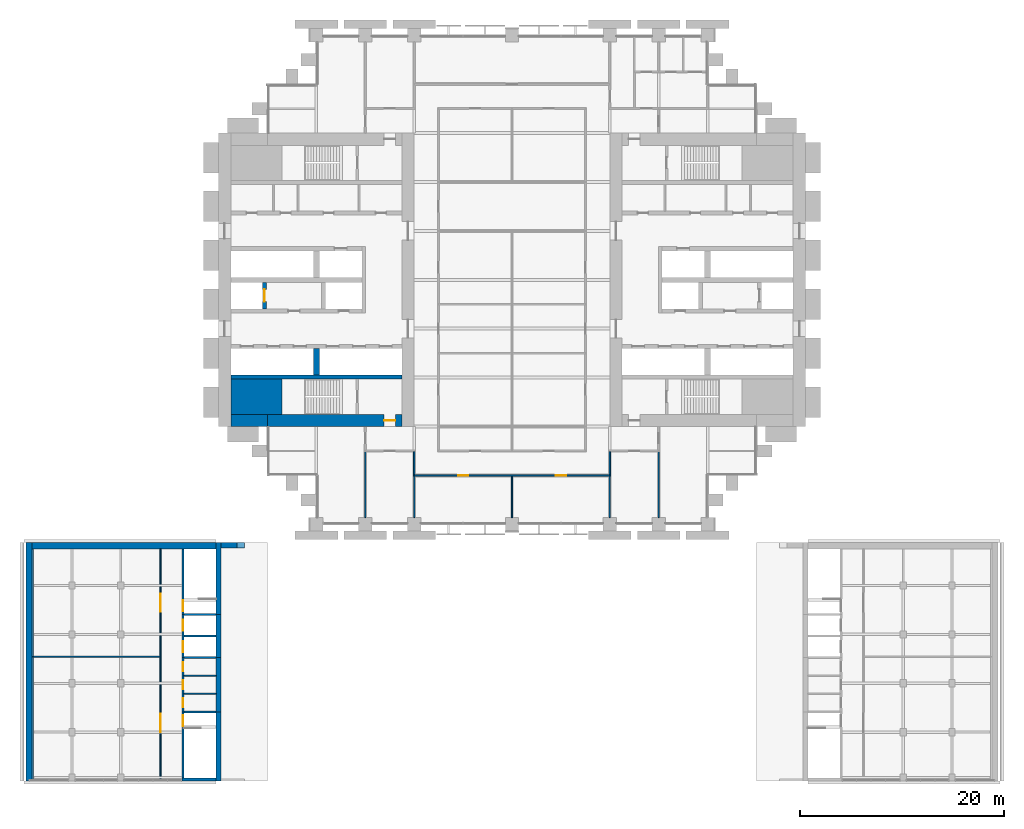
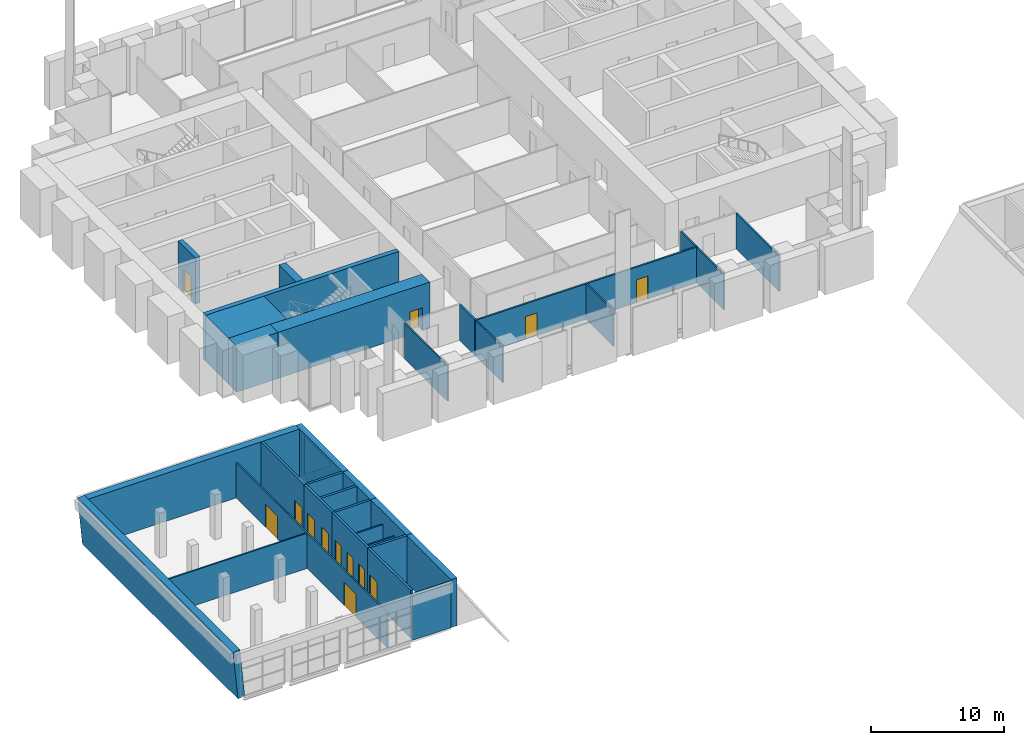
# One storey, part 16 of 22: 34 walls, 13 doors, 13 openings.
"""IFC4 building model written with IfcOpenShell, lengths in metres."""

from ifc_helpers import new_model, si_unit, direction, frame, frame_2d, origin, place, context, subcontext, project, spatial, polyline, rectangle, outline, extrude, material, layer, layer_set, type_object, element, fill, save


model = new_model("IFC4")

# Units and contexts
model_context = context("Model", 3, precision=1e-05, world=origin(), true_north=direction((0.0, 1.0)))
body_context = subcontext(model_context, "Body", "Model", "MODEL_VIEW")
ifc_project = project(units=[si_unit("LENGTHUNIT", "METRE"), si_unit("AREAUNIT", "SQUARE_METRE"), si_unit("VOLUMEUNIT", "CUBIC_METRE"), si_unit("PLANEANGLEUNIT", "RADIAN"), si_unit("MASSUNIT", "GRAM", prefix="KILO")], contexts=[model_context])

# Site, building, storey
site_placement = place(None, origin())
site = spatial("IfcSite", under=ifc_project, at=site_placement, CompositionType="ELEMENT")
building_placement = place(site_placement, origin())
building = spatial("IfcBuilding", under=site, at=building_placement, Name="Baori Bourse Tower", CompositionType="ELEMENT")
storey_placement = place(building_placement, frame((0.0, 0.0, 25.800048828125)))
storey = spatial("IfcBuildingStorey", under=building, at=storey_placement, Name="L04", CompositionType="ELEMENT", Elevation=25.800048828125)

# Walls
ifc_material_1 = material(Name="Concrete f'c 70 MPa", Category="concrete")
wall_type_1 = type_object("IfcWallType", Name="Core corner block f'c 70", PredefinedType="SHEAR", material=ifc_material_1)
wall_1_placement = place(storey_placement, frame((1.199951171875, 12.52490234375, 0.0), z_axis=(0.0, 0.0, 1.0), x_axis=(1.0, 0.0, 0.0)))
element("IfcWall", 1, at=wall_1_placement, inside=storey, type_object=wall_type_1, Name="Core wall W05", PredefinedType="SHEAR", context=body_context, shape_type="SweptSolid", body=[
    extrude(rectangle(XDim=5.050048828125, YDim=3.449951171875, at=frame_2d((2.52490234375, 0.0))), origin(), (0.0, 0.0, 1.0), 4.239990234375),
])
ifc_material_2 = material(Name="Concrete f'c 70 MPa", Category="concrete")
ifc_layer_1 = layer(ifc_material_2, 1.199951171875)
ifc_layer_set_1 = layer_set([ifc_layer_1], Name="Core wall 1200 f'c 70")
wall_type_2 = type_object("IfcWallType", Name="Core wall 1200 f'c 70", PredefinedType="SHEAR", material=ifc_layer_set_1)
wall_2_placement = place(storey_placement, frame((4.800048828125, 10.199951171875, 0.0), z_axis=(0.0, 0.0, 1.0), x_axis=(-1.0, 0.0, 0.0)))
element("IfcWall", 2, at=wall_2_placement, inside=storey, type_object=wall_type_2, Name="Core wall W02", PredefinedType="SHEAR", context=body_context, shape_type="SweptSolid", body=[
    extrude(rectangle(XDim=3.60009765625, YDim=1.199951171875, at=frame_2d((1.800048828125, 0.0))), origin(), (0.0, 0.0, 1.0), 4.239990234375),
])

# Wall, opening, door
wall_3_placement = place(storey_placement, frame((18.0, 10.199951171875, 0.0), z_axis=(0.0, 0.0, 1.0), x_axis=(-1.0, 0.0, 0.0)))
wall_3 = element("IfcWall", 3, at=wall_3_placement, inside=storey, type_object=wall_type_2, Name="Core wall W03", PredefinedType="SHEAR", context=body_context, shape_type="SweptSolid", body=[
    extrude(rectangle(XDim=13.199951171875, YDim=1.199951171875, at=frame_2d((6.60009765625, 0.0))), origin(), (0.0, 0.0, 1.0), 4.239990234375),
])
opening_1_placement = place(wall_3_placement, frame((0.64990234375, 0.0, 0.0)))
opening_1 = element("IfcOpeningElement", 4, at=opening_1_placement, cuts=wall_3, Name="Opening L04-D102", PredefinedType="OPENING", context=body_context, shape_type="SweptSolid", body=[
    extrude(rectangle(XDim=1.10009765625, YDim=2.10009765625, at=frame_2d((0.550048828125, 1.050048828125))), frame((0.0, 0.60986328125, 0.0), z_axis=(0.0, -1.0, 0.0), x_axis=(1.0, 0.0, 0.0)), (0.0, 0.0, 1.0), 1.219970703125),
])
ifc_material_3 = material(Name="Painted steel door", Category="steel")
door_type_1 = type_object("IfcDoorType", Name="Stair door 1100", OperationType="SINGLE_SWING_LEFT", PredefinedType="DOOR", material=ifc_material_3)
door_1_placement = place(opening_1_placement, origin())
door_1 = element("IfcDoor", 5, at=door_1_placement, inside=storey, type_object=door_type_1, Name="Stair vestibule door A W L04", OperationType="SINGLE_SWING_LEFT", OverallHeight=2.10009765625, OverallWidth=1.10009765625, PredefinedType="DOOR", context=body_context, shape_type="SweptSolid", body=[
    extrude(rectangle(XDim=1.10009765625, YDim=2.10009765625, at=frame_2d((0.550048828125, 1.050048828125))), frame((0.0, 0.02490234375, 0.0), z_axis=(0.0, -1.0, 0.0), x_axis=(1.0, 0.0, 0.0)), (0.0, 0.0, 1.0), 0.050048828125),
])
fill(opening_1, door_1)

# Wall, openings, doors
ifc_material_4 = material(Name="Gypsum board partition")
ifc_layer_2 = layer(ifc_material_4, 0.14990234375)
ifc_layer_set_2 = layer_set([ifc_layer_2], Name="Corridor partition 150")
wall_type_3 = type_object("IfcWallType", Name="Corridor partition 150", PredefinedType="PARTITIONING", material=ifc_layer_set_2)
wall_4_placement = place(storey_placement, frame((19.125, 4.800048828125, 0.0), z_axis=(0.0, 0.0, 1.0), x_axis=(1.0, 0.0, 0.0)))
wall_4 = element("IfcWall", 6, at=wall_4_placement, inside=storey, type_object=wall_type_3, Name="Partition", PredefinedType="PARTITIONING", context=body_context, shape_type="SweptSolid", body=[
    extrude(rectangle(XDim=19.35009765625, YDim=0.14990234375, at=frame_2d((9.675048828125, 0.0))), origin(), (0.0, 0.0, 1.0), 3.269775390625),
])
opening_2_placement = place(wall_4_placement, frame((4.375, 0.0, 0.0)))
opening_2 = element("IfcOpeningElement", 7, at=opening_2_placement, cuts=wall_4, Name="Opening L04-D01", PredefinedType="OPENING", context=body_context, shape_type="SweptSolid", body=[
    extrude(rectangle(XDim=1.0, YDim=2.10009765625, at=frame_2d((0.5, 1.050048828125))), frame((0.0, 0.0849609375, 0.0), z_axis=(0.0, -1.0, 0.0), x_axis=(1.0, 0.0, 0.0)), (0.0, 0.0, 1.0), 0.169921875),
])
opening_3_placement = place(wall_4_placement, frame((13.97509765625, 0.0, 0.0)))
opening_3 = element("IfcOpeningElement", 8, at=opening_3_placement, cuts=wall_4, Name="Opening L04-D02", PredefinedType="OPENING", context=body_context, shape_type="SweptSolid", body=[
    extrude(rectangle(XDim=1.0, YDim=2.10009765625, at=frame_2d((0.5, 1.050048828125))), frame((0.0, 0.0849609375, 0.0), z_axis=(0.0, -1.0, 0.0), x_axis=(1.0, 0.0, 0.0)), (0.0, 0.0, 1.0), 0.169921875),
])
ifc_material_5 = material(Name="Timber door leaf", Category="wood")
door_type_2 = type_object("IfcDoorType", Name="Door 1000 x 2100", OperationType="SINGLE_SWING_LEFT", PredefinedType="DOOR", material=ifc_material_5)
door_2_placement = place(opening_2_placement, origin())
door_2 = element("IfcDoor", 9, at=door_2_placement, inside=storey, type_object=door_type_2, Name="Door", OperationType="SINGLE_SWING_LEFT", OverallHeight=2.10009765625, OverallWidth=1.0, PredefinedType="DOOR", context=body_context, shape_type="SweptSolid", body=[
    extrude(rectangle(XDim=1.0, YDim=2.10009765625, at=frame_2d((0.5, 1.050048828125))), frame((0.0, 0.02490234375, 0.0), z_axis=(0.0, -1.0, 0.0), x_axis=(1.0, 0.0, 0.0)), (0.0, 0.0, 1.0), 0.050048828125),
])
fill(opening_2, door_2)
door_3_placement = place(opening_3_placement, origin())
door_3 = element("IfcDoor", 10, at=door_3_placement, inside=storey, type_object=door_type_2, Name="Door", OperationType="SINGLE_SWING_RIGHT", OverallHeight=2.10009765625, OverallWidth=1.0, PredefinedType="DOOR", context=body_context, shape_type="SweptSolid", body=[
    extrude(rectangle(XDim=1.0, YDim=2.10009765625, at=frame_2d((0.5, 1.050048828125))), frame((0.0, 0.02490234375, 0.0), z_axis=(0.0, -1.0, 0.0), x_axis=(1.0, 0.0, 0.0)), (0.0, 0.0, 1.0), 0.050048828125),
])
fill(opening_3, door_3)

# Walls
for number, where, z_axis, x_axis, name in (
    (11, (19.199951171875, 4.875, 0.0), (0.0, 0.0, 1.0), (0.0, 1.0, 0.0), "Partition"),
    (12, (38.39990234375, 4.875, 0.0), (0.0, 0.0, 1.0), (0.0, 1.0, 0.0), "Partition"),
):
    element("IfcWall", number, at=place(storey_placement, frame(where, z_axis=z_axis, x_axis=x_axis)), inside=storey, type_object=wall_type_3, Name=name, PredefinedType="PARTITIONING", context=body_context, shape_type="SweptSolid", body=[
        extrude(rectangle(XDim=2.25, YDim=0.14990234375, at=frame_2d((1.125, 0.0))), origin(), (0.0, 0.0, 1.0), 3.269775390625),
    ])
ifc_material_6 = material(Name="Concrete f'c 50 MPa", Category="concrete")
ifc_layer_3 = layer(ifc_material_6, 0.300048828125)
ifc_layer_set_3 = layer_set([ifc_layer_3], Name="Entrance wall 300")
wall_type_4 = type_object("IfcWallType", Name="Entrance wall 300", PredefinedType="SOLIDWALL", material=ifc_layer_set_3)
wall_5_placement = place(storey_placement, frame((-3.60009765625, -25.050048828125, 0.0), z_axis=(0.0, 0.0, 1.0), x_axis=(1.0, 0.0, 0.0)))
element("IfcWall", 13, at=wall_5_placement, inside=storey, type_object=wall_type_4, Name="wing/L04/Wsouthwall/001", PredefinedType="SOLIDWALL", context=body_context, shape_type="SweptSolid", body=[
    extrude(rectangle(XDim=3.35009765625, YDim=0.300048828125, at=frame_2d((1.675048828125, 0.0))), origin(), (0.0, 0.0, 1.0), 4.1015625),
])
ifc_material_7 = material(Name="Concrete f'c 50 MPa", Category="concrete")
ifc_layer_4 = layer(ifc_material_7, 0.5)
ifc_layer_set_4 = layer_set([ifc_layer_4], Name="Hall end wall 500")
wall_type_5 = type_object("IfcWallType", Name="Hall end wall 500", PredefinedType="SOLIDWALL", material=ifc_layer_set_4)
wall_6_placement = place(storey_placement, frame((0.0, -1.800048828125, 0.0), z_axis=(0.0, 0.0, 1.0), x_axis=(0.0, -1.0, 0.0)))
element("IfcWall", 14, at=wall_6_placement, inside=storey, type_object=wall_type_5, Name="wing/L04/Whallwall/001", PredefinedType="SOLIDWALL", context=body_context, shape_type="SweptSolid", body=[
    extrude(rectangle(XDim=7.06005859375, YDim=0.5, at=frame_2d((3.530029296875, 0.0))), origin(), (0.0, 0.0, 1.0), 4.39990234375),
])
wall_7_placement = place(storey_placement, frame((0.0, -8.860107421875, 0.0), z_axis=(0.0, 0.0, 1.0), x_axis=(0.0, -1.0, 0.0)))
element("IfcWall", 15, at=wall_7_placement, inside=storey, type_object=wall_type_5, Name="wing/L04/Whallwall/002", PredefinedType="SOLIDWALL", context=body_context, shape_type="SweptSolid", body=[
    extrude(rectangle(XDim=4.199951171875, YDim=0.5, at=frame_2d((2.10009765625, 0.0))), origin(), (0.0, 0.0, 1.0), 4.39990234375),
])
wall_8_placement = place(storey_placement, frame((0.0, -13.06005859375, 0.0), z_axis=(0.0, 0.0, 1.0), x_axis=(0.0, -1.0, 0.0)))
element("IfcWall", 16, at=wall_8_placement, inside=storey, type_object=wall_type_5, Name="wing/L04/Whallwall/003", PredefinedType="SOLIDWALL", context=body_context, shape_type="SweptSolid", body=[
    extrude(rectangle(XDim=5.3798828125, YDim=0.5, at=frame_2d((2.68994140625, 0.0))), origin(), (0.0, 0.0, 1.0), 4.39990234375),
])
wall_9_placement = place(storey_placement, frame((0.0, -18.43994140625, 0.0), z_axis=(0.0, 0.0, 1.0), x_axis=(0.0, -1.0, 0.0)))
element("IfcWall", 17, at=wall_9_placement, inside=storey, type_object=wall_type_5, Name="wing/L04/Whallwall/004", PredefinedType="SOLIDWALL", context=body_context, shape_type="SweptSolid", body=[
    extrude(rectangle(XDim=6.760009765625, YDim=0.5, at=frame_2d((3.3798828125, 0.0))), origin(), (0.0, 0.0, 1.0), 4.39990234375),
])
ifc_material_8 = material(Name="Concrete f'c 50 MPa", Category="concrete")
ifc_layer_5 = layer(ifc_material_8, 0.5)
ifc_layer_set_5 = layer_set([ifc_layer_5], Name="Hall north wall 500")
wall_type_6 = type_object("IfcWallType", Name="Hall north wall 500", PredefinedType="SOLIDWALL", material=ifc_layer_set_5)
wall_10_placement = place(storey_placement, frame((0.25, -2.050048828125, 0.0), z_axis=(0.0, 0.0, 1.0), x_axis=(1.0, 0.0, 0.0)))
element("IfcWall", 18, at=wall_10_placement, inside=storey, type_object=wall_type_6, Name="wing/L04/hallnorth/001", PredefinedType="SOLIDWALL", context=body_context, shape_type="SweptSolid", body=[
    extrude(outline(polyline([(0.0, 0.0), (2.31103515625, 0.0), (2.31103515625, 0.099853515625), (0.0, 3.578369140625), (0.0, 0.0)])), frame((0.0, 0.25, 0.0), z_axis=(0.0, -1.0, 0.0), x_axis=(1.0, 0.0, 0.0)), (0.0, 0.0, 1.0), 0.5),
])
ifc_material_9 = material(Name="Concrete f'c 50 MPa", Category="concrete")
ifc_layer_6 = layer(ifc_material_9, 0.60009765625)
ifc_layer_set_6 = layer_set([ifc_layer_6], Name="Leaning end wall 600")
wall_type_7 = type_object("IfcWallType", Name="Leaning end wall 600", PredefinedType="SOLIDWALL", material=ifc_layer_set_6)
wall_11_placement = place(storey_placement, frame((-18.173583984375, -25.199951171875, 0.0), z_axis=(0.995397890889, 0.0, 0.095828173382), x_axis=(0.0, 1.0, 0.0)))
element("IfcWall", 19, at=wall_11_placement, inside=storey, type_object=wall_type_7, Name="wing/L04/Wleanwall/001", PredefinedType="SOLIDWALL", context=body_context, shape_type="SweptSolid", body=[
    extrude(outline(polyline([(0.0, 0.0), (23.39990234375, 0.0), (23.39990234375, 4.420244792582843), (0.0, 4.420244792582843), (0.0, 0.0)])), origin(), (0.0, 0.0, -1.0), 0.60009765625),
])
ifc_material_10 = material(Name="Gypsum board partition")
ifc_layer_7 = layer(ifc_material_10, 0.125)
ifc_layer_set_7 = layer_set([ifc_layer_7], Name="Partition 125")
wall_type_8 = type_object("IfcWallType", Name="Partition 125", PredefinedType="PARTITIONING", material=ifc_layer_set_7)
wall_12_placement = place(storey_placement, frame((14.39990234375, 0.64990234375, 0.0), z_axis=(0.0, 0.0, 1.0), x_axis=(0.0, 1.0, 0.0)))
element("IfcWall", 20, at=wall_12_placement, inside=storey, type_object=wall_type_8, Name="Partition", PredefinedType="PARTITIONING", context=body_context, shape_type="SweptSolid", body=[
    extrude(rectangle(XDim=6.47509765625, YDim=0.125, at=frame_2d((3.237548828125, 0.0))), origin(), (0.0, 0.0, 1.0), 3.269775390625),
])
for number, where, z_axis, x_axis, name in (
    (21, (19.199951171875, 0.64990234375, 0.0), (0.0, 0.0, 1.0), (0.0, 1.0, 0.0), "Partition"),
    (22, (28.800048828125, 0.64990234375, 0.0), (0.0, 0.0, 1.0), (0.0, 1.0, 0.0), "Partition"),
    (23, (38.39990234375, 0.64990234375, 0.0), (0.0, 0.0, 1.0), (0.0, 1.0, 0.0), "Partition"),
):
    element("IfcWall", number, at=place(storey_placement, frame(where, z_axis=z_axis, x_axis=x_axis)), inside=storey, type_object=wall_type_8, Name=name, PredefinedType="PARTITIONING", context=body_context, shape_type="SweptSolid", body=[
        extrude(rectangle(XDim=4.0751953125, YDim=0.125, at=frame_2d((2.03759765625, 0.0))), origin(), (0.0, 0.0, 1.0), 3.269775390625),
    ])
wall_13_placement = place(storey_placement, frame((43.199951171875, 0.64990234375, 0.0), z_axis=(0.0, 0.0, 1.0), x_axis=(0.0, 1.0, 0.0)))
element("IfcWall", 24, at=wall_13_placement, inside=storey, type_object=wall_type_8, Name="Partition", PredefinedType="PARTITIONING", context=body_context, shape_type="SweptSolid", body=[
    extrude(rectangle(XDim=6.47509765625, YDim=0.125, at=frame_2d((3.237548828125, 0.0))), origin(), (0.0, 0.0, 1.0), 3.269775390625),
])

# Wall, opening, door
ifc_material_11 = material(Name="Concrete f'c 50 MPa", Category="concrete")
ifc_layer_8 = layer(ifc_material_11, 0.199951171875)
ifc_layer_set_8 = layer_set([ifc_layer_8], Name="Shaft wall 200")
wall_type_9 = type_object("IfcWallType", Name="Shaft wall 200", PredefinedType="SOLIDWALL", material=ifc_layer_set_8)
wall_14_placement = place(storey_placement, frame((-3.5, -2.39990234375, 0.0), z_axis=(0.0, 0.0, 1.0), x_axis=(0.0, -1.0, 0.0)))
wall_14 = element("IfcWall", 25, at=wall_14_placement, inside=storey, type_object=wall_type_9, Name="wing/L04/WcorrwallE/001", PredefinedType="SOLIDWALL", context=body_context, shape_type="SweptSolid", body=[
    extrude(rectangle(XDim=6.460205078125, YDim=0.199951171875, at=frame_2d((3.22998046875, 0.0))), origin(), (0.0, 0.0, 1.0), 4.39990234375),
])
opening_4_placement = place(wall_14_placement, frame((5.050048828125, 0.0, 0.0)))
opening_4 = element("IfcOpeningElement", 26, at=opening_4_placement, cuts=wall_14, Name="Opening WGW-L04-01", PredefinedType="OPENING", context=body_context, shape_type="SweptSolid", body=[
    extrude(rectangle(XDim=1.10009765625, YDim=2.10009765625, at=frame_2d((0.550048828125, 1.050048828125))), frame((0.0, 0.10986328125, 0.0), z_axis=(0.0, -1.0, 0.0), x_axis=(1.0, 0.0, 0.0)), (0.0, 0.0, 1.0), 0.219970703125),
])
ifc_material_12 = material(Name="Steel fire door", Category="steel")
door_type_3 = type_object("IfcDoorType", Name="Wing stair door 1100", OperationType="SINGLE_SWING_LEFT", PredefinedType="DOOR", material=ifc_material_12)
door_4_placement = place(opening_4_placement, origin())
door_4 = element("IfcDoor", 27, at=door_4_placement, inside=storey, type_object=door_type_3, Name="WGW-L04-01", OperationType="SINGLE_SWING_LEFT", OverallHeight=2.10009765625, OverallWidth=1.10009765625, PredefinedType="DOOR", context=body_context, shape_type="SweptSolid", body=[
    extrude(rectangle(XDim=1.10009765625, YDim=2.10009765625, at=frame_2d((0.550048828125, 1.050048828125))), frame((0.0, 0.02490234375, 0.0), z_axis=(0.0, -1.0, 0.0), x_axis=(1.0, 0.0, 0.0)), (0.0, 0.0, 1.0), 0.050048828125),
])
fill(opening_4, door_4)

# Wall, openings, doors
wall_15_placement = place(storey_placement, frame((-3.5, -8.860107421875, 0.0), z_axis=(0.0, 0.0, 1.0), x_axis=(0.0, -1.0, 0.0)))
wall_15 = element("IfcWall", 28, at=wall_15_placement, inside=storey, type_object=wall_type_9, Name="wing/L04/WcorrwallE/002", PredefinedType="SOLIDWALL", context=body_context, shape_type="SweptSolid", body=[
    extrude(rectangle(XDim=4.199951171875, YDim=0.199951171875, at=frame_2d((2.10009765625, 0.0))), origin(), (0.0, 0.0, 1.0), 4.39990234375),
])
opening_5_placement = place(wall_15_placement, frame((0.5, 0.0, 0.0)))
opening_5 = element("IfcOpeningElement", 29, at=opening_5_placement, cuts=wall_15, Name="Opening LD-W-L04-P", PredefinedType="OPENING", context=body_context, shape_type="SweptSolid", body=[
    extrude(rectangle(XDim=1.10009765625, YDim=2.10009765625, at=frame_2d((0.550048828125, 1.050048828125))), frame((0.0, 0.10986328125, 0.0), z_axis=(0.0, -1.0, 0.0), x_axis=(1.0, 0.0, 0.0)), (0.0, 0.0, 1.0), 0.219970703125),
])
opening_6_placement = place(wall_15_placement, frame((2.60009765625, 0.0, 0.0)))
opening_6 = element("IfcOpeningElement", 30, at=opening_6_placement, cuts=wall_15, Name="Opening LD-W-L04-S", PredefinedType="OPENING", context=body_context, shape_type="SweptSolid", body=[
    extrude(rectangle(XDim=1.10009765625, YDim=2.10009765625, at=frame_2d((0.550048828125, 1.050048828125))), frame((0.0, 0.10986328125, 0.0), z_axis=(0.0, -1.0, 0.0), x_axis=(1.0, 0.0, 0.0)), (0.0, 0.0, 1.0), 0.219970703125),
])
ifc_material_13 = material(Name="Stainless steel door", Category="steel")
door_type_4 = type_object("IfcDoorType", Name="Lift landing door 1100", OperationType="SLIDING_TO_LEFT", PredefinedType="DOOR", material=ifc_material_13)
door_5_placement = place(opening_5_placement, origin())
door_5 = element("IfcDoor", 31, at=door_5_placement, inside=storey, type_object=door_type_4, Name="LD-W-L04-P", OperationType="SLIDING_TO_LEFT", OverallHeight=2.10009765625, OverallWidth=1.10009765625, PredefinedType="DOOR", context=body_context, shape_type="SweptSolid", body=[
    extrude(rectangle(XDim=1.10009765625, YDim=2.10009765625, at=frame_2d((0.550048828125, 1.050048828125))), frame((0.0, 0.02490234375, 0.0), z_axis=(0.0, -1.0, 0.0), x_axis=(1.0, 0.0, 0.0)), (0.0, 0.0, 1.0), 0.050048828125),
])
fill(opening_5, door_5)
door_6_placement = place(opening_6_placement, origin())
door_6 = element("IfcDoor", 32, at=door_6_placement, inside=storey, type_object=door_type_4, Name="LD-W-L04-S", OperationType="SLIDING_TO_LEFT", OverallHeight=2.10009765625, OverallWidth=1.10009765625, PredefinedType="DOOR", context=body_context, shape_type="SweptSolid", body=[
    extrude(rectangle(XDim=1.10009765625, YDim=2.10009765625, at=frame_2d((0.550048828125, 1.050048828125))), frame((0.0, 0.02490234375, 0.0), z_axis=(0.0, -1.0, 0.0), x_axis=(1.0, 0.0, 0.0)), (0.0, 0.0, 1.0), 0.050048828125),
])
fill(opening_6, door_6)

wall_16_placement = place(storey_placement, frame((-3.5, -13.06005859375, 0.0), z_axis=(0.0, 0.0, 1.0), x_axis=(0.0, -1.0, 0.0)))
wall_16 = element("IfcWall", 33, at=wall_16_placement, inside=storey, type_object=wall_type_9, Name="wing/L04/WcorrwallE/003", PredefinedType="SOLIDWALL", context=body_context, shape_type="SweptSolid", body=[
    extrude(rectangle(XDim=5.3798828125, YDim=0.199951171875, at=frame_2d((2.68994140625, 0.0))), origin(), (0.0, 0.0, 1.0), 4.39990234375),
])
opening_7_placement = place(wall_16_placement, frame((0.4716796875, 0.0, 0.0)))
opening_7 = element("IfcOpeningElement", 34, at=opening_7_placement, cuts=wall_16, Name="Opening WGW-L04-05", PredefinedType="OPENING", context=body_context, shape_type="SweptSolid", body=[
    extrude(rectangle(XDim=0.89990234375, YDim=2.10009765625, at=frame_2d((0.449951171875, 1.050048828125))), frame((0.0, 0.10986328125, 0.0), z_axis=(0.0, -1.0, 0.0), x_axis=(1.0, 0.0, 0.0)), (0.0, 0.0, 1.0), 0.219970703125),
])
opening_8_placement = place(wall_16_placement, frame((2.239990234375, 0.0, 0.0)))
opening_8 = element("IfcOpeningElement", 35, at=opening_8_placement, cuts=wall_16, Name="Opening WGW-L04-06", PredefinedType="OPENING", context=body_context, shape_type="SweptSolid", body=[
    extrude(rectangle(XDim=0.89990234375, YDim=2.10009765625, at=frame_2d((0.449951171875, 1.050048828125))), frame((0.0, 0.10986328125, 0.0), z_axis=(0.0, -1.0, 0.0), x_axis=(1.0, 0.0, 0.0)), (0.0, 0.0, 1.0), 0.219970703125),
])
opening_9_placement = place(wall_16_placement, frame((4.00830078125, 0.0, 0.0)))
opening_9 = element("IfcOpeningElement", 36, at=opening_9_placement, cuts=wall_16, Name="Opening WGW-L04-07", PredefinedType="OPENING", context=body_context, shape_type="SweptSolid", body=[
    extrude(rectangle(XDim=0.89990234375, YDim=2.10009765625, at=frame_2d((0.449951171875, 1.050048828125))), frame((0.0, 0.10986328125, 0.0), z_axis=(0.0, -1.0, 0.0), x_axis=(1.0, 0.0, 0.0)), (0.0, 0.0, 1.0), 0.219970703125),
])
ifc_material_14 = material(Name="Timber door", Category="wood")
door_type_5 = type_object("IfcDoorType", Name="Wing toilet door 900x2100", OperationType="SINGLE_SWING_LEFT", PredefinedType="DOOR", material=ifc_material_14)
door_7_placement = place(opening_7_placement, origin())
door_7 = element("IfcDoor", 37, at=door_7_placement, inside=storey, type_object=door_type_5, Name="WGW-L04-05", OperationType="SINGLE_SWING_LEFT", OverallHeight=2.10009765625, OverallWidth=0.89990234375, PredefinedType="DOOR", context=body_context, shape_type="SweptSolid", body=[
    extrude(rectangle(XDim=0.89990234375, YDim=2.10009765625, at=frame_2d((0.449951171875, 1.050048828125))), frame((0.0, 0.02490234375, 0.0), z_axis=(0.0, -1.0, 0.0), x_axis=(1.0, 0.0, 0.0)), (0.0, 0.0, 1.0), 0.050048828125),
])
fill(opening_7, door_7)
door_8_placement = place(opening_8_placement, origin())
door_8 = element("IfcDoor", 38, at=door_8_placement, inside=storey, type_object=door_type_5, Name="WGW-L04-06", OperationType="SINGLE_SWING_LEFT", OverallHeight=2.10009765625, OverallWidth=0.89990234375, PredefinedType="DOOR", context=body_context, shape_type="SweptSolid", body=[
    extrude(rectangle(XDim=0.89990234375, YDim=2.10009765625, at=frame_2d((0.449951171875, 1.050048828125))), frame((0.0, 0.02490234375, 0.0), z_axis=(0.0, -1.0, 0.0), x_axis=(1.0, 0.0, 0.0)), (0.0, 0.0, 1.0), 0.050048828125),
])
fill(opening_8, door_8)
door_9_placement = place(opening_9_placement, origin())
door_9 = element("IfcDoor", 39, at=door_9_placement, inside=storey, type_object=door_type_5, Name="WGW-L04-07", OperationType="SINGLE_SWING_LEFT", OverallHeight=2.10009765625, OverallWidth=0.89990234375, PredefinedType="DOOR", context=body_context, shape_type="SweptSolid", body=[
    extrude(rectangle(XDim=0.89990234375, YDim=2.10009765625, at=frame_2d((0.449951171875, 1.050048828125))), frame((0.0, 0.02490234375, 0.0), z_axis=(0.0, -1.0, 0.0), x_axis=(1.0, 0.0, 0.0)), (0.0, 0.0, 1.0), 0.050048828125),
])
fill(opening_9, door_9)

# Wall, opening, door
wall_17_placement = place(storey_placement, frame((-3.5, -18.43994140625, 0.0), z_axis=(0.0, 0.0, 1.0), x_axis=(0.0, -1.0, 0.0)))
wall_17 = element("IfcWall", 40, at=wall_17_placement, inside=storey, type_object=wall_type_9, Name="wing/L04/WcorrwallE/004", PredefinedType="SOLIDWALL", context=body_context, shape_type="SweptSolid", body=[
    extrude(rectangle(XDim=6.4599609375, YDim=0.199951171875, at=frame_2d((3.22998046875, 0.0))), origin(), (0.0, 0.0, 1.0), 4.39990234375),
])
opening_10_placement = place(wall_17_placement, frame((0.300048828125, 0.0, 0.0)))
opening_10 = element("IfcOpeningElement", 41, at=opening_10_placement, cuts=wall_17, Name="Opening WGW-L04-02", PredefinedType="OPENING", context=body_context, shape_type="SweptSolid", body=[
    extrude(rectangle(XDim=1.10009765625, YDim=2.10009765625, at=frame_2d((0.550048828125, 1.050048828125))), frame((0.0, 0.10986328125, 0.0), z_axis=(0.0, -1.0, 0.0), x_axis=(1.0, 0.0, 0.0)), (0.0, 0.0, 1.0), 0.219970703125),
])
door_10_placement = place(opening_10_placement, origin())
door_10 = element("IfcDoor", 42, at=door_10_placement, inside=storey, type_object=door_type_3, Name="WGW-L04-02", OperationType="SINGLE_SWING_LEFT", OverallHeight=2.10009765625, OverallWidth=1.10009765625, PredefinedType="DOOR", context=body_context, shape_type="SweptSolid", body=[
    extrude(rectangle(XDim=1.10009765625, YDim=2.10009765625, at=frame_2d((0.550048828125, 1.050048828125))), frame((0.0, 0.02490234375, 0.0), z_axis=(0.0, -1.0, 0.0), x_axis=(1.0, 0.0, 0.0)), (0.0, 0.0, 1.0), 0.050048828125),
])
fill(opening_10, door_10)

# Walls
for number, where, z_axis, x_axis, name in (
    (43, (-3.39990234375, -8.860107421875, 0.0), (0.0, 0.0, 1.0), (1.0, 0.0, 0.0), "wing/L04/Wshaftwall/001"),
    (44, (-3.39990234375, -10.9599609375, 0.0), (0.0, 0.0, 1.0), (1.0, 0.0, 0.0), "wing/L04/Wshaftwall/002"),
    (45, (-3.39990234375, -13.06005859375, 0.0), (0.0, 0.0, 1.0), (1.0, 0.0, 0.0), "wing/L04/Wshaftwall/003"),
    (46, (-3.39990234375, -18.43994140625, 0.0), (0.0, 0.0, 1.0), (1.0, 0.0, 0.0), "wing/L04/Wshaftwall/004"),
):
    element("IfcWall", number, at=place(storey_placement, frame(where, z_axis=z_axis, x_axis=x_axis)), inside=storey, type_object=wall_type_9, Name=name, PredefinedType="SOLIDWALL", context=body_context, shape_type="SweptSolid", body=[
        extrude(rectangle(XDim=3.14990234375, YDim=0.199951171875, at=frame_2d((1.574951171875, 0.0))), origin(), (0.0, 0.0, 1.0), 4.39990234375),
    ])
ifc_material_15 = material(Name="Concrete f'c 70 MPa", Category="concrete")
ifc_layer_9 = layer(ifc_material_15, 0.39990234375)
ifc_layer_set_9 = layer_set([ifc_layer_9], Name="Shaft wall 400 f'c 70")
wall_type_10 = type_object("IfcWallType", Name="Shaft wall 400 f'c 70", PredefinedType="SHEAR", material=ifc_layer_set_9)
wall_18_placement = place(storey_placement, frame((1.199951171875, 14.449951171875, 0.0), z_axis=(0.0, 0.0, 1.0), x_axis=(1.0, 0.0, 0.0)))
element("IfcWall", 47, at=wall_18_placement, inside=storey, type_object=wall_type_10, Name="Core wall W07", PredefinedType="SHEAR", context=body_context, shape_type="SweptSolid", body=[
    extrude(rectangle(XDim=16.800048828125, YDim=0.39990234375, at=frame_2d((8.39990234375, 0.0))), origin(), (0.0, 0.0, 1.0), 4.239990234375),
])

# Wall, opening, door
wall_19_placement = place(storey_placement, frame((4.5, 21.14990234375, 0.0), z_axis=(0.0, 0.0, 1.0), x_axis=(0.0, 1.0, 0.0)))
wall_19 = element("IfcWall", 48, at=wall_19_placement, inside=storey, type_object=wall_type_10, Name="Core wall W12", PredefinedType="SHEAR", context=body_context, shape_type="SweptSolid", body=[
    extrude(rectangle(XDim=2.60009765625, YDim=0.39990234375, at=frame_2d((1.300048828125, 0.0))), origin(), (0.0, 0.0, 1.0), 4.239990234375),
])
opening_11_placement = place(wall_19_placement, frame((0.699951171875, 0.0, 0.0)))
opening_11 = element("IfcOpeningElement", 49, at=opening_11_placement, cuts=wall_19, Name="Opening L04-D120", PredefinedType="OPENING", context=body_context, shape_type="SweptSolid", body=[
    extrude(rectangle(XDim=1.199951171875, YDim=2.10009765625, at=frame_2d((0.60009765625, 1.050048828125))), frame((0.0, 0.2099609375, 0.0), z_axis=(0.0, -1.0, 0.0), x_axis=(1.0, 0.0, 0.0)), (0.0, 0.0, 1.0), 0.419921875),
])
ifc_material_16 = material(Name="Stainless steel door", Category="steel")
door_type_6 = type_object("IfcDoorType", Name="Lift landing door", OperationType="DOUBLE_DOOR_SLIDING", PredefinedType="DOOR", material=ifc_material_16)
door_11_placement = place(opening_11_placement, origin())
door_11 = element("IfcDoor", 50, at=door_11_placement, inside=storey, type_object=door_type_6, Name="Lift landing door FF1 W L04", OperationType="DOUBLE_DOOR_SLIDING", OverallHeight=2.10009765625, OverallWidth=1.199951171875, PredefinedType="DOOR", context=body_context, shape_type="SweptSolid", body=[
    extrude(rectangle(XDim=1.199951171875, YDim=2.10009765625, at=frame_2d((0.60009765625, 1.050048828125))), frame((0.0, 0.02490234375, 0.0), z_axis=(0.0, -1.0, 0.0), x_axis=(1.0, 0.0, 0.0)), (0.0, 0.0, 1.0), 0.050048828125),
])
fill(opening_11, door_11)

# Walls
ifc_material_17 = material(Name="Concrete f'c 70 MPa", Category="concrete")
ifc_layer_10 = layer(ifc_material_17, 0.60009765625)
ifc_layer_set_10 = layer_set([ifc_layer_10], Name="Shaft wall 600 f'c 70")
wall_type_11 = type_object("IfcWallType", Name="Shaft wall 600 f'c 70", PredefinedType="SHEAR", material=ifc_layer_set_10)
wall_20_placement = place(storey_placement, frame((9.60009765625, 14.64990234375, 0.0), z_axis=(0.0, 0.0, 1.0), x_axis=(0.0, 1.0, 0.0)))
element("IfcWall", 51, at=wall_20_placement, inside=storey, type_object=wall_type_11, Name="Core wall W08", PredefinedType="SHEAR", context=body_context, shape_type="SweptSolid", body=[
    extrude(rectangle(XDim=2.60009765625, YDim=0.60009765625, at=frame_2d((1.300048828125, 0.0))), origin(), (0.0, 0.0, 1.0), 4.239990234375),
])
ifc_material_18 = material(Name="Concrete f'c 50 MPa", Category="concrete")
ifc_layer_11 = layer(ifc_material_18, 0.60009765625)
ifc_layer_set_11 = layer_set([ifc_layer_11], Name="Wing north wall 600")
wall_type_12 = type_object("IfcWallType", Name="Wing north wall 600", PredefinedType="SOLIDWALL", material=ifc_layer_set_11)
wall_21_placement = place(storey_placement, frame((-0.25, -2.10009765625, 0.0), z_axis=(0.0, 0.0, 1.0), x_axis=(-1.0, 0.0, 0.0)))
element("IfcWall", 52, at=wall_21_placement, inside=storey, type_object=wall_type_12, Name="wing/L04/Wnorthwall/001", PredefinedType="SOLIDWALL", context=body_context, shape_type="SweptSolid", body=[
    extrude(outline(polyline([(0.0, 0.0), (17.923583984375, 0.0), (18.34765625, 4.40380859375), (0.0, 4.40380859375), (0.0, 0.0)])), frame((0.0, 0.300048828125, 0.0), z_axis=(0.0, -1.0, 0.0), x_axis=(1.0, 0.0, 0.0)), (0.0, 0.0, 1.0), 0.60009765625),
])

# Wall, openings, doors
ifc_material_19 = material(Name="Gypsum board partition")
ifc_layer_12 = layer(ifc_material_19, 0.125)
ifc_layer_set_12 = layer_set([ifc_layer_12], Name="Wing partition 125")
wall_type_13 = type_object("IfcWallType", Name="Wing partition 125", PredefinedType="PARTITIONING", material=ifc_layer_set_12)
wall_22_placement = place(storey_placement, frame((-5.699951171875, -25.10009765625, 0.0), z_axis=(0.0, 0.0, 1.0), x_axis=(0.0, 1.0, 0.0)))
wall_22 = element("IfcWall", 53, at=wall_22_placement, inside=storey, type_object=wall_type_13, Name="wing/L04/WcorrwallW/001", PredefinedType="PARTITIONING", context=body_context, shape_type="SweptSolid", body=[
    extrude(rectangle(XDim=22.7001953125, YDim=0.125, at=frame_2d((11.35009765625, 0.0))), origin(), (0.0, 0.0, 1.0), 3.22998046875),
])
opening_12_placement = place(wall_22_placement, frame((16.5, 0.0, 0.0)))
opening_12 = element("IfcOpeningElement", 54, at=opening_12_placement, cuts=wall_22, Name="Opening WGW-L04-03", PredefinedType="OPENING", context=body_context, shape_type="SweptSolid", body=[
    extrude(rectangle(XDim=1.800048828125, YDim=2.10009765625, at=frame_2d((0.89990234375, 1.050048828125))), frame((0.0, 0.072509765625, 0.0), z_axis=(0.0, -1.0, 0.0), x_axis=(1.0, 0.0, 0.0)), (0.0, 0.0, 1.0), 0.14501953125),
])
opening_13_placement = place(wall_22_placement, frame((4.699951171875, 0.0, 0.0)))
opening_13 = element("IfcOpeningElement", 55, at=opening_13_placement, cuts=wall_22, Name="Opening WGW-L04-04", PredefinedType="OPENING", context=body_context, shape_type="SweptSolid", body=[
    extrude(rectangle(XDim=1.800048828125, YDim=2.10009765625, at=frame_2d((0.89990234375, 1.050048828125))), frame((0.0, 0.072509765625, 0.0), z_axis=(0.0, -1.0, 0.0), x_axis=(1.0, 0.0, 0.0)), (0.0, 0.0, 1.0), 0.14501953125),
])
ifc_material_20 = material(Name="Timber door", Category="wood")
door_type_7 = type_object("IfcDoorType", Name="Wing double door 1800x2100", OperationType="DOUBLE_DOOR_SINGLE_SWING", PredefinedType="DOOR", material=ifc_material_20)
door_12_placement = place(opening_12_placement, origin())
door_12 = element("IfcDoor", 56, at=door_12_placement, inside=storey, type_object=door_type_7, Name="WGW-L04-03", OperationType="DOUBLE_DOOR_SINGLE_SWING", OverallHeight=2.10009765625, OverallWidth=1.800048828125, PredefinedType="DOOR", context=body_context, shape_type="SweptSolid", body=[
    extrude(rectangle(XDim=1.800048828125, YDim=2.10009765625, at=frame_2d((0.89990234375, 1.050048828125))), frame((0.0, 0.02490234375, 0.0), z_axis=(0.0, -1.0, 0.0), x_axis=(1.0, 0.0, 0.0)), (0.0, 0.0, 1.0), 0.050048828125),
])
fill(opening_12, door_12)
door_13_placement = place(opening_13_placement, origin())
door_13 = element("IfcDoor", 57, at=door_13_placement, inside=storey, type_object=door_type_7, Name="WGW-L04-04", OperationType="DOUBLE_DOOR_SINGLE_SWING", OverallHeight=2.10009765625, OverallWidth=1.800048828125, PredefinedType="DOOR", context=body_context, shape_type="SweptSolid", body=[
    extrude(rectangle(XDim=1.800048828125, YDim=2.10009765625, at=frame_2d((0.89990234375, 1.050048828125))), frame((0.0, 0.02490234375, 0.0), z_axis=(0.0, -1.0, 0.0), x_axis=(1.0, 0.0, 0.0)), (0.0, 0.0, 1.0), 0.050048828125),
])
fill(opening_13, door_13)

# Walls
wall_23_placement = place(storey_placement, frame((-5.762451171875, -13.0, 0.0), z_axis=(0.0, 0.0, 1.0), x_axis=(-1.0, 0.0, 0.0)))
element("IfcWall", 58, at=wall_23_placement, inside=storey, type_object=wall_type_13, Name="wing/L04/Wmidwall/001", PredefinedType="PARTITIONING", context=body_context, shape_type="SweptSolid", body=[
    extrude(rectangle(XDim=12.4111328125, YDim=0.125, at=frame_2d((6.20556640625, 0.0))), origin(), (0.0, 0.0, 1.0), 3.22998046875),
])
for number, where, z_axis, x_axis, name in (
    (59, (-3.39990234375, -14.86572265625, 0.0), (0.0, 0.0, 1.0), (1.0, 0.0, 0.0), "wing/L04/Wwcwall/001"),
    (60, (-3.39990234375, -16.63427734375, 0.0), (0.0, 0.0, 1.0), (1.0, 0.0, 0.0), "wing/L04/Wwcwall/002"),
):
    element("IfcWall", number, at=place(storey_placement, frame(where, z_axis=z_axis, x_axis=x_axis)), inside=storey, type_object=wall_type_13, Name=name, PredefinedType="PARTITIONING", context=body_context, shape_type="SweptSolid", body=[
        extrude(rectangle(XDim=3.14990234375, YDim=0.125, at=frame_2d((1.574951171875, 0.0))), origin(), (0.0, 0.0, 1.0), 3.22998046875),
    ])

save(model, "model.ifc")
